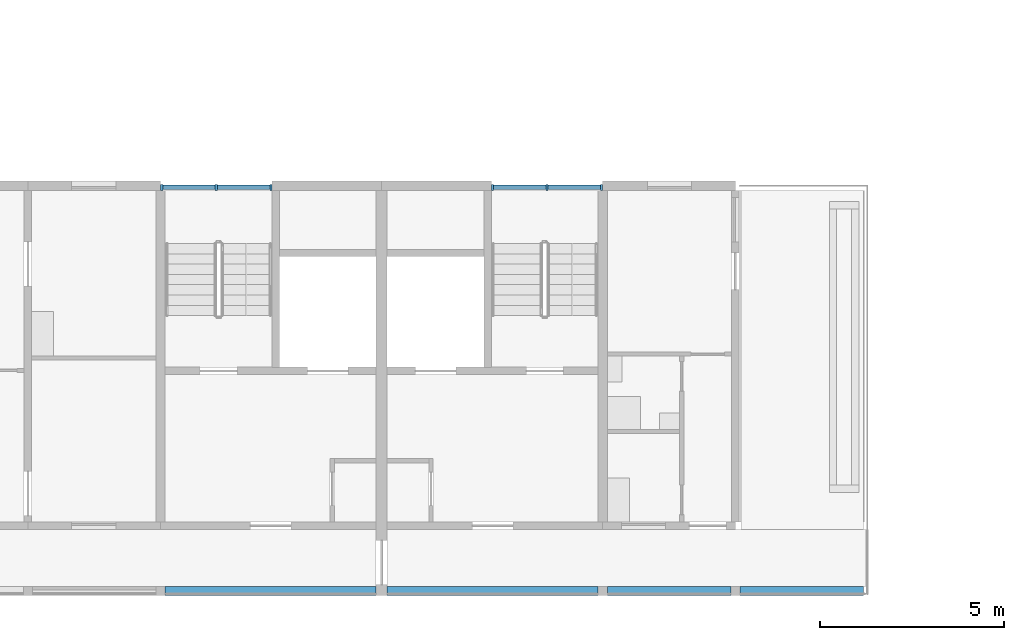
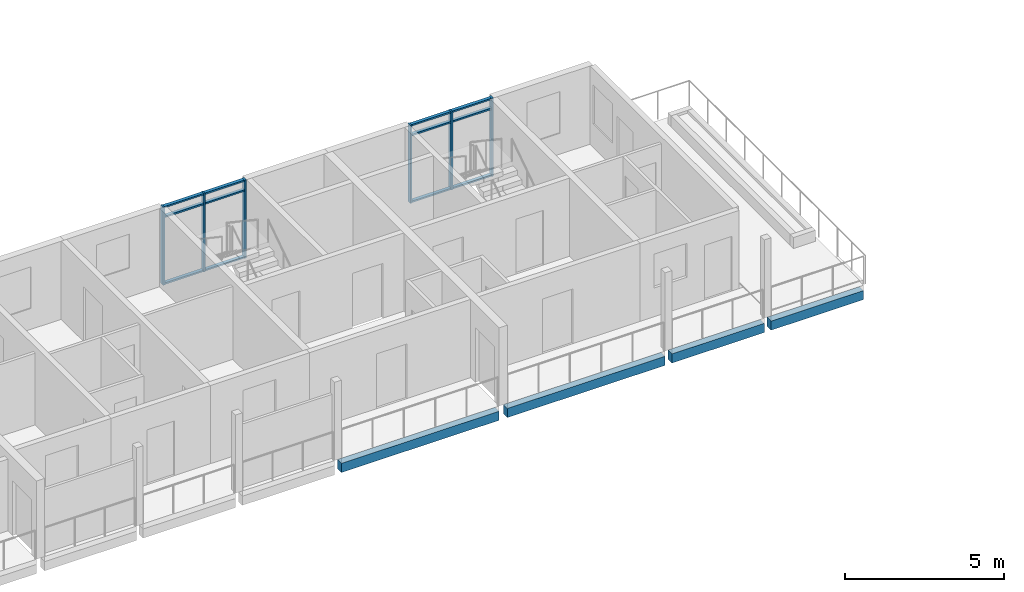
# One storey, part 10 of 55: 18 members, 4 beams, 2 elements without a shape of their own.
"""IFC4 building model written with IfcOpenShell, lengths in metres."""

import ifcopenshell
import ifcopenshell.guid

model = None  # the IFC model being written
_history = None  # IfcOwnerHistory: only IFC2X3 demands one
_inside = {}  # id of a spatial element -> (the spatial element, [elements in it])
_under = {}  # id of a project, library or spatial element -> (it, [spatial elements below it])
_declared = {}  # id of a project -> (the project, [libraries it declares])
_typed = {}  # id of a type object -> (the type object, [elements of that type])
_made_of = {}  # id of a material, layer set ... -> (it, [elements and type objects made of it])


def new_model(schema):
    """Start an empty IFC model of exactly this schema.

    Asked for "IFC4X3", IfcOpenShell would pick the latest addendum, in which some entities
    have other attributes; the version numbers below select the first issue.
    IFC2X3 requires an IfcOwnerHistory on every rooted entity: one is made here for all.
    """
    global model, _history
    if schema == "IFC4X3":
        model = ifcopenshell.file(schema_version=(4, 3, 0, 0))
    else:
        model = ifcopenshell.file(schema=schema)
    _inside.clear()
    _under.clear()
    _declared.clear()
    _typed.clear()
    _made_of.clear()
    _history = None
    if model.schema == "IFC2X3":
        org = make("IfcOrganization", Name="unknown")
        user = make(
            "IfcPersonAndOrganization",
            ThePerson=make("IfcPerson", FamilyName="unknown"),
            TheOrganization=org,
        )
        app = make(
            "IfcApplication",
            ApplicationDeveloper=org,
            Version="unknown",
            ApplicationFullName="unknown",
            ApplicationIdentifier="unknown",
        )
        _history = make(
            "IfcOwnerHistory",
            OwningUser=user,
            OwningApplication=app,
            ChangeAction="ADDED",
            CreationDate=0,
        )
    return model


def make(cls, **values):
    """One entity of the class cls with the attributes given. An attribute that is None is left unset."""
    return model.create_entity(
        cls, **{name: value for name, value in values.items() if value is not None}
    )


def rooted(cls, **values):
    """An entity with a GlobalId (a new one), such as an element, a storey or a relation."""
    return make(cls, GlobalId=ifcopenshell.guid.new(), OwnerHistory=_history, **values)


def si_unit(unit_type, name, prefix=None):
    """IfcSIUnit, for example si_unit("LENGTHUNIT", "METRE", prefix="MILLI")."""
    return make("IfcSIUnit", UnitType=unit_type, Prefix=prefix, Name=name)


def assignment(units):
    """IfcUnitAssignment: the units of a project."""
    return None if units is None else make("IfcUnitAssignment", Units=units)


def point(xyz):
    """IfcCartesianPoint."""
    return None if xyz is None else make("IfcCartesianPoint", Coordinates=xyz)


def direction(xyz):
    """IfcDirection."""
    return None if xyz is None else make("IfcDirection", DirectionRatios=xyz)


def frame(location, z_axis=None, x_axis=None):
    """IfcAxis2Placement3D, a coordinate frame: its origin and axes. An axis left out is left unset."""
    return make(
        "IfcAxis2Placement3D",
        Location=point(location),
        Axis=direction(z_axis),
        RefDirection=direction(x_axis),
    )


def frame_2d(location, x_axis=None):
    """IfcAxis2Placement2D, a coordinate frame in the plane: its origin and x axis."""
    return make(
        "IfcAxis2Placement2D", Location=point(location), RefDirection=direction(x_axis)
    )


def origin():
    """The frame at (0, 0, 0) with its axes left unset."""
    return frame((0.0, 0.0, 0.0))


def origin_2d():
    """The frame at (0, 0) in the plane with its x axis left unset."""
    return frame_2d((0.0, 0.0))


def place(relative_to, where):
    """IfcLocalPlacement: puts the frame where relative to a parent placement (None: the world)."""
    return make(
        "IfcLocalPlacement", PlacementRelTo=relative_to, RelativePlacement=where
    )


def context(
    kind, dimensions, precision=None, world=None, true_north=None, identifier=None
):
    """IfcGeometricRepresentationContext, for example the 3D "Model" context."""
    return make(
        "IfcGeometricRepresentationContext",
        ContextIdentifier=identifier,
        ContextType=kind,
        CoordinateSpaceDimension=dimensions,
        Precision=precision,
        WorldCoordinateSystem=world,
        TrueNorth=true_north,
    )


def subcontext(parent, identifier, kind, view, scale=None):
    """IfcGeometricRepresentationSubContext, for example "Body" below "Model"."""
    return make(
        "IfcGeometricRepresentationSubContext",
        ContextIdentifier=identifier,
        ContextType=kind,
        ParentContext=parent,
        TargetScale=scale,
        TargetView=view,
    )


def project(units=None, contexts=None):
    """IfcProject with its units and contexts."""
    return rooted(
        "IfcProject",
        Name="project",
        RepresentationContexts=contexts,
        UnitsInContext=assignment(units),
    )


def spatial(cls, under=None, at=None, **own):
    """A site, building, storey or space (cls), placed at a placement, below another one or the project."""
    s = rooted(cls, ObjectPlacement=at, **own)
    if under is not None:
        _under.setdefault(under.id(), (under, []))[1].append(s)
    return s


def profile(cls, at=None, kind="AREA", **sizes):
    """A parametric profile (cls). Its sizes go by their IFC names, for example OverallWidth=200.0."""
    return make(cls, ProfileType=kind, Position=at, **sizes)


def rectangle(**sizes):
    """IfcRectangleProfileDef."""
    return profile("IfcRectangleProfileDef", **sizes)


def extrude(swept, where, along, depth):
    """IfcExtrudedAreaSolid: the profile swept, set in the frame where, extruded along a direction by depth."""
    return make(
        "IfcExtrudedAreaSolid",
        SweptArea=swept,
        Position=where,
        ExtrudedDirection=direction(along),
        Depth=depth,
    )


def shape(context_of_items, identifier, shape_type, items):
    """IfcShapeRepresentation: the items that make up one representation, for example the "Body"."""
    return make(
        "IfcShapeRepresentation",
        ContextOfItems=context_of_items,
        RepresentationIdentifier=identifier,
        RepresentationType=shape_type,
        Items=items,
    )


def material(Name=None, Category=None):
    """IfcMaterial."""
    return make("IfcMaterial", Name=Name, Category=Category)


def material_profile(
    of_material, cross_section, Name=None, Category=None, Priority=None
):
    """IfcMaterialProfile: a cross section and its material."""
    return make(
        "IfcMaterialProfile",
        Name=Name,
        Material=of_material,
        Profile=cross_section,
        Priority=Priority,
        Category=Category,
    )


def profile_set(profiles, Name=None, composite=None):
    """IfcMaterialProfileSet."""
    return make(
        "IfcMaterialProfileSet",
        Name=Name,
        MaterialProfiles=profiles,
        CompositeProfile=composite,
    )


def made_of(thing, what):
    """Note that an element or type object is made of a material, layer set ...; save() writes the relation."""
    if what is not None:
        _made_of.setdefault(what.id(), (what, []))[1].append(thing)
    return thing


def type_object(cls, material=None, **own):
    """A type object (cls), such as IfcWallType, which elements share."""
    return made_of(rooted(cls, **own), material)


def element(
    cls,
    number,
    at=None,
    inside=None,
    cuts=None,
    type_object=None,
    material=None,
    context=None,
    identifier="Body",
    shape_type=None,
    held_by="IfcProductDefinitionShape",
    body=None,
    shapes=None,
    **own,
):
    """One element of the class cls, such as IfcWall. Its Tag is "e" and its number.

    at: its placement. inside: the storey or other place that contains it. cuts: it is an
    opening in that element (IfcRelVoidsElement). A single representation is given by context,
    identifier, shape_type and body (its items); several are given by shapes. held_by: the class
    of the entity that holds the representations. save() writes the other relations.
    """
    e = rooted(cls, Tag="e%d" % number, ObjectPlacement=at, **own)
    if body is not None:
        shapes = [shape(context, identifier, shape_type, body)]
    if shapes is not None:
        e.Representation = make(held_by, Representations=shapes)
    if inside is not None:
        _inside.setdefault(inside.id(), (inside, []))[1].append(e)
    if cuts is not None:
        rooted(
            "IfcRelVoidsElement", RelatingBuildingElement=cuts, RelatedOpeningElement=e
        )
    if type_object is not None:
        _typed.setdefault(type_object.id(), (type_object, []))[1].append(e)
    return made_of(e, material)


def aggregate(whole, parts):
    """IfcRelAggregates: a whole, such as a stair, and the parts it consists of."""
    return rooted("IfcRelAggregates", RelatingObject=whole, RelatedObjects=parts)


def save(model, path):
    """Write the relations noted so far, then the file.

    IfcRelAggregates (storeys below a building ...), IfcRelContainedInSpatialStructure (elements
    in a storey), IfcRelDefinesByType, IfcRelAssociatesMaterial and IfcRelDeclares: one each for
    every whole, place, type object, material and project.
    """
    for whole, parts in _under.values():
        aggregate(whole, parts)
    for where, things in _inside.values():
        rooted(
            "IfcRelContainedInSpatialStructure",
            RelatedElements=things,
            RelatingStructure=where,
        )
    for kind, things in _typed.values():
        rooted("IfcRelDefinesByType", RelatedObjects=things, RelatingType=kind)
    for what, things in _made_of.values():
        rooted("IfcRelAssociatesMaterial", RelatedObjects=things, RelatingMaterial=what)
    for by, libraries in _declared.values():
        rooted("IfcRelDeclares", RelatingContext=by, RelatedDefinitions=libraries)
    model.write(path)


model = new_model("IFC4")

# Units and contexts
model_context = context("Model", 3, precision=1e-05, world=origin(), true_north=direction((0.0, 1.0)))
body_context = subcontext(model_context, "Body", "Model", "MODEL_VIEW")
ifc_project = project(units=[si_unit("LENGTHUNIT", "METRE"), si_unit("AREAUNIT", "SQUARE_METRE"), si_unit("VOLUMEUNIT", "CUBIC_METRE"), si_unit("PLANEANGLEUNIT", "RADIAN"), si_unit("MASSUNIT", "GRAM", prefix="KILO")], contexts=[model_context])

# Site, building, storey
site_placement = place(None, origin())
site = spatial("IfcSite", under=ifc_project, at=site_placement, CompositionType="ELEMENT")
building_placement = place(site_placement, origin())
building = spatial("IfcBuilding", under=site, at=building_placement, Name="Ridgestep Commons", CompositionType="ELEMENT")
storey_placement = place(building_placement, frame((0.0, 0.0, 36.0)))
storey = spatial("IfcBuildingStorey", under=building, at=storey_placement, Name="L12", CompositionType="ELEMENT", Elevation=36.0)

# Beams
ifc_material_1 = material(Name="Precast concrete C40/50", Category="concrete")
ifc_material_profile_1 = material_profile(ifc_material_1, rectangle(XDim=0.25, YDim=0.35009765625, at=origin_2d()), Name="PC 250x350")
ifc_profile_set_1 = profile_set([ifc_material_profile_1], Name="Precast concrete C40/50")
beam_type = type_object("IfcBeamType", Name="Loggia edge beam 250 x 350", PredefinedType="SPANDREL", material=ifc_profile_set_1)
for number, where, z_axis, x_axis, name in (
    (1, (90.125, 11.875, -0.375), (1.0, 0.0, 0.0), (0.0, 1.0, 0.0), "Loggia edge beam A5C L12"),
    (2, (96.14990234375, 11.875, -0.375), (1.0, 0.0, 0.0), (0.0, 1.0, 0.0), "Loggia edge beam A6C L12"),
):
    element("IfcBeam", number, at=place(storey_placement, frame(where, z_axis=z_axis, x_axis=x_axis)), inside=storey, type_object=beam_type, Name=name, PredefinedType="SPANDREL", context=body_context, shape_type="SweptSolid", body=[
        extrude(rectangle(XDim=0.25, YDim=0.35009765625, at=origin_2d()), origin(), (0.0, 0.0, 1.0), 5.72509765625),
    ])
beam_1_placement = place(storey_placement, frame((102.125, 11.875, -0.375), z_axis=(1.0, 0.0, 0.0), x_axis=(0.0, 1.0, 0.0)))
element("IfcBeam", 3, at=beam_1_placement, inside=storey, type_object=beam_type, Name="Loggia edge beam A6T3 L12", PredefinedType="SPANDREL", context=body_context, shape_type="SweptSolid", body=[
    extrude(rectangle(XDim=0.25, YDim=0.35009765625, at=origin_2d()), origin(), (0.0, 0.0, 1.0), 3.35009765625),
])
beam_2_placement = place(storey_placement, frame((105.72509765625, 11.875, -0.375), z_axis=(1.0, 0.0, 0.0), x_axis=(0.0, 1.0, 0.0)))
element("IfcBeam", 4, at=beam_2_placement, inside=storey, type_object=beam_type, Name="Loggia edge beam A6T2 L12", PredefinedType="SPANDREL", context=body_context, shape_type="SweptSolid", body=[
    extrude(rectangle(XDim=0.25, YDim=0.35009765625, at=origin_2d()), origin(), (0.0, 0.0, 1.0), 3.349853515625),
])

# Curtain wall, members
ifc_material_2 = material(Name="Aluminium 6063-T6 and glass", Category="aluminium")
curtain_wall_type = type_object("IfcCurtainWallType", Name="Curtain wall stair strip", PredefinedType="NOTDEFINED", material=ifc_material_2)
curtain_wall_1_placement = place(storey_placement, origin())
curtain_wall_1 = element("IfcCurtainWall", 5, at=curtain_wall_1_placement, inside=storey, type_object=curtain_wall_type, Name="Curtain wall A5C level 12", PredefinedType="NOTDEFINED")
ifc_material_3 = material(Name="Aluminium 6063-T6", Category="aluminium")
ifc_material_profile_2 = material_profile(ifc_material_3, rectangle(XDim=0.159912109375, YDim=0.06005859375, at=origin_2d()), Name="Mullion 60 x 160")
ifc_profile_set_2 = profile_set([ifc_material_profile_2], Name="Aluminium 6063-T6")
member_type_1 = type_object("IfcMemberType", Name="Mullion 60 x 160", PredefinedType="MULLION", material=ifc_profile_set_2)
member_1_placement = place(storey_placement, frame((90.030029296875, 22.830078125, 0.0), z_axis=(0.0, 0.0, 1.0), x_axis=(0.0, 1.0, 0.0)))
member_1 = element("IfcMember", 6, at=member_1_placement, type_object=member_type_1, Name="CW1 mullion 1", PredefinedType="MULLION", context=body_context, shape_type="SweptSolid", body=[
    extrude(rectangle(XDim=0.159912109375, YDim=0.06005859375, at=origin_2d()), origin(), (0.0, 0.0, 1.0), 3.0),
])
member_2_placement = place(storey_placement, frame((91.512451171875, 22.830078125, 0.0), z_axis=(0.0, 0.0, 1.0), x_axis=(0.0, 1.0, 0.0)))
member_2 = element("IfcMember", 7, at=member_2_placement, type_object=member_type_1, Name="CW1 mullion 2", PredefinedType="MULLION", context=body_context, shape_type="SweptSolid", body=[
    extrude(rectangle(XDim=0.159912109375, YDim=0.06005859375, at=origin_2d()), origin(), (0.0, 0.0, 1.0), 3.0),
])
member_3_placement = place(storey_placement, frame((92.9951171875, 22.830078125, 0.0), z_axis=(0.0, 0.0, 1.0), x_axis=(0.0, 1.0, 0.0)))
member_3 = element("IfcMember", 8, at=member_3_placement, type_object=member_type_1, Name="CW1 mullion 3", PredefinedType="MULLION", context=body_context, shape_type="SweptSolid", body=[
    extrude(rectangle(XDim=0.159912109375, YDim=0.06005859375, at=origin_2d()), origin(), (0.0, 0.0, 1.0), 3.0),
])

curtain_wall_2_placement = place(storey_placement, origin())
curtain_wall_2 = element("IfcCurtainWall", 9, at=curtain_wall_2_placement, inside=storey, type_object=curtain_wall_type, Name="Curtain wall A6C level 12", PredefinedType="NOTDEFINED")
member_4_placement = place(storey_placement, frame((99.0048828125, 22.830078125, 0.0), z_axis=(0.0, 0.0, 1.0), x_axis=(0.0, 1.0, 0.0)))
member_4 = element("IfcMember", 10, at=member_4_placement, type_object=member_type_1, Name="CW1 mullion 1", PredefinedType="MULLION", context=body_context, shape_type="SweptSolid", body=[
    extrude(rectangle(XDim=0.159912109375, YDim=0.06005859375, at=origin_2d()), origin(), (0.0, 0.0, 1.0), 3.0),
])
member_5_placement = place(storey_placement, frame((100.487548828125, 22.830078125, 0.0), z_axis=(0.0, 0.0, 1.0), x_axis=(0.0, 1.0, 0.0)))
member_5 = element("IfcMember", 11, at=member_5_placement, type_object=member_type_1, Name="CW1 mullion 2", PredefinedType="MULLION", context=body_context, shape_type="SweptSolid", body=[
    extrude(rectangle(XDim=0.159912109375, YDim=0.06005859375, at=origin_2d()), origin(), (0.0, 0.0, 1.0), 3.0),
])
member_6_placement = place(storey_placement, frame((101.969970703125, 22.830078125, 0.0), z_axis=(0.0, 0.0, 1.0), x_axis=(0.0, 1.0, 0.0)))
member_6 = element("IfcMember", 12, at=member_6_placement, type_object=member_type_1, Name="CW1 mullion 3", PredefinedType="MULLION", context=body_context, shape_type="SweptSolid", body=[
    extrude(rectangle(XDim=0.159912109375, YDim=0.06005859375, at=origin_2d()), origin(), (0.0, 0.0, 1.0), 3.0),
])

# Member
ifc_material_4 = material(Name="Aluminium 6063-T6", Category="aluminium")
ifc_material_profile_3 = material_profile(ifc_material_4, rectangle(XDim=0.1201171875, YDim=0.06005859375, at=origin_2d()), Name="Transom 60 x 120")
ifc_profile_set_3 = profile_set([ifc_material_profile_3], Name="Aluminium 6063-T6")
member_type_2 = type_object("IfcMemberType", Name="Transom 60 x 120", PredefinedType="USERDEFINED", material=ifc_profile_set_3)
member_7_placement = place(storey_placement, frame((90.06005859375, 22.830078125, 0.030029296875), z_axis=(1.0, 0.0, 0.0), x_axis=(0.0, 1.0, 0.0)))
member_7 = element("IfcMember", 13, at=member_7_placement, type_object=member_type_2, Name="CW1 transom 1.1", ObjectType="TRANSOM", PredefinedType="USERDEFINED", context=body_context, shape_type="SweptSolid", body=[
    extrude(rectangle(XDim=0.1201171875, YDim=0.06005859375, at=origin_2d()), origin(), (0.0, 0.0, 1.0), 1.42236328125),
])

member_8_placement = place(storey_placement, frame((90.06005859375, 22.830078125, 2.590087890625), z_axis=(1.0, 0.0, 0.0), x_axis=(0.0, 1.0, 0.0)))
member_8 = element("IfcMember", 14, at=member_8_placement, type_object=member_type_2, Name="CW1 transom 1.2", ObjectType="TRANSOM", PredefinedType="USERDEFINED", context=body_context, shape_type="SweptSolid", body=[
    extrude(rectangle(XDim=0.1201171875, YDim=0.06005859375, at=origin_2d()), origin(), (0.0, 0.0, 1.0), 1.42236328125),
])

member_9_placement = place(storey_placement, frame((90.06005859375, 22.830078125, 2.969970703125), z_axis=(1.0, 0.0, 0.0), x_axis=(0.0, 1.0, 0.0)))
member_9 = element("IfcMember", 15, at=member_9_placement, type_object=member_type_2, Name="CW1 transom 1.3", ObjectType="TRANSOM", PredefinedType="USERDEFINED", context=body_context, shape_type="SweptSolid", body=[
    extrude(rectangle(XDim=0.1201171875, YDim=0.06005859375, at=origin_2d()), origin(), (0.0, 0.0, 1.0), 1.42236328125),
])

member_10_placement = place(storey_placement, frame((91.54248046875, 22.830078125, 0.030029296875), z_axis=(1.0, 0.0, 0.0), x_axis=(0.0, 1.0, 0.0)))
member_10 = element("IfcMember", 16, at=member_10_placement, type_object=member_type_2, Name="CW1 transom 2.1", ObjectType="TRANSOM", PredefinedType="USERDEFINED", context=body_context, shape_type="SweptSolid", body=[
    extrude(rectangle(XDim=0.1201171875, YDim=0.06005859375, at=origin_2d()), origin(), (0.0, 0.0, 1.0), 1.422607421875),
])

member_11_placement = place(storey_placement, frame((91.54248046875, 22.830078125, 2.590087890625), z_axis=(1.0, 0.0, 0.0), x_axis=(0.0, 1.0, 0.0)))
member_11 = element("IfcMember", 17, at=member_11_placement, type_object=member_type_2, Name="CW1 transom 2.2", ObjectType="TRANSOM", PredefinedType="USERDEFINED", context=body_context, shape_type="SweptSolid", body=[
    extrude(rectangle(XDim=0.1201171875, YDim=0.06005859375, at=origin_2d()), origin(), (0.0, 0.0, 1.0), 1.422607421875),
])

member_12_placement = place(storey_placement, frame((91.54248046875, 22.830078125, 2.969970703125), z_axis=(1.0, 0.0, 0.0), x_axis=(0.0, 1.0, 0.0)))
member_12 = element("IfcMember", 18, at=member_12_placement, type_object=member_type_2, Name="CW1 transom 2.3", ObjectType="TRANSOM", PredefinedType="USERDEFINED", context=body_context, shape_type="SweptSolid", body=[
    extrude(rectangle(XDim=0.1201171875, YDim=0.06005859375, at=origin_2d()), origin(), (0.0, 0.0, 1.0), 1.422607421875),
])

aggregate(curtain_wall_1, [member_1, member_2, member_3, member_7, member_8, member_9, member_10, member_11, member_12])

member_13_placement = place(storey_placement, frame((99.034912109375, 22.830078125, 0.030029296875), z_axis=(1.0, 0.0, 0.0), x_axis=(0.0, 1.0, 0.0)))
member_13 = element("IfcMember", 19, at=member_13_placement, type_object=member_type_2, Name="CW1 transom 1.1", ObjectType="TRANSOM", PredefinedType="USERDEFINED", context=body_context, shape_type="SweptSolid", body=[
    extrude(rectangle(XDim=0.1201171875, YDim=0.06005859375, at=origin_2d()), origin(), (0.0, 0.0, 1.0), 1.422607421875),
])

member_14_placement = place(storey_placement, frame((99.034912109375, 22.830078125, 2.590087890625), z_axis=(1.0, 0.0, 0.0), x_axis=(0.0, 1.0, 0.0)))
member_14 = element("IfcMember", 20, at=member_14_placement, type_object=member_type_2, Name="CW1 transom 1.2", ObjectType="TRANSOM", PredefinedType="USERDEFINED", context=body_context, shape_type="SweptSolid", body=[
    extrude(rectangle(XDim=0.1201171875, YDim=0.06005859375, at=origin_2d()), origin(), (0.0, 0.0, 1.0), 1.422607421875),
])

member_15_placement = place(storey_placement, frame((99.034912109375, 22.830078125, 2.969970703125), z_axis=(1.0, 0.0, 0.0), x_axis=(0.0, 1.0, 0.0)))
member_15 = element("IfcMember", 21, at=member_15_placement, type_object=member_type_2, Name="CW1 transom 1.3", ObjectType="TRANSOM", PredefinedType="USERDEFINED", context=body_context, shape_type="SweptSolid", body=[
    extrude(rectangle(XDim=0.1201171875, YDim=0.06005859375, at=origin_2d()), origin(), (0.0, 0.0, 1.0), 1.422607421875),
])

member_16_placement = place(storey_placement, frame((100.517578125, 22.830078125, 0.030029296875), z_axis=(1.0, 0.0, 0.0), x_axis=(0.0, 1.0, 0.0)))
member_16 = element("IfcMember", 22, at=member_16_placement, type_object=member_type_2, Name="CW1 transom 2.1", ObjectType="TRANSOM", PredefinedType="USERDEFINED", context=body_context, shape_type="SweptSolid", body=[
    extrude(rectangle(XDim=0.1201171875, YDim=0.06005859375, at=origin_2d()), origin(), (0.0, 0.0, 1.0), 1.42236328125),
])

member_17_placement = place(storey_placement, frame((100.517578125, 22.830078125, 2.590087890625), z_axis=(1.0, 0.0, 0.0), x_axis=(0.0, 1.0, 0.0)))
member_17 = element("IfcMember", 23, at=member_17_placement, type_object=member_type_2, Name="CW1 transom 2.2", ObjectType="TRANSOM", PredefinedType="USERDEFINED", context=body_context, shape_type="SweptSolid", body=[
    extrude(rectangle(XDim=0.1201171875, YDim=0.06005859375, at=origin_2d()), origin(), (0.0, 0.0, 1.0), 1.42236328125),
])

member_18_placement = place(storey_placement, frame((100.517578125, 22.830078125, 2.969970703125), z_axis=(1.0, 0.0, 0.0), x_axis=(0.0, 1.0, 0.0)))
member_18 = element("IfcMember", 24, at=member_18_placement, type_object=member_type_2, Name="CW1 transom 2.3", ObjectType="TRANSOM", PredefinedType="USERDEFINED", context=body_context, shape_type="SweptSolid", body=[
    extrude(rectangle(XDim=0.1201171875, YDim=0.06005859375, at=origin_2d()), origin(), (0.0, 0.0, 1.0), 1.42236328125),
])

aggregate(curtain_wall_2, [member_4, member_5, member_6, member_13, member_14, member_15, member_16, member_17, member_18])

save(model, "model.ifc")
